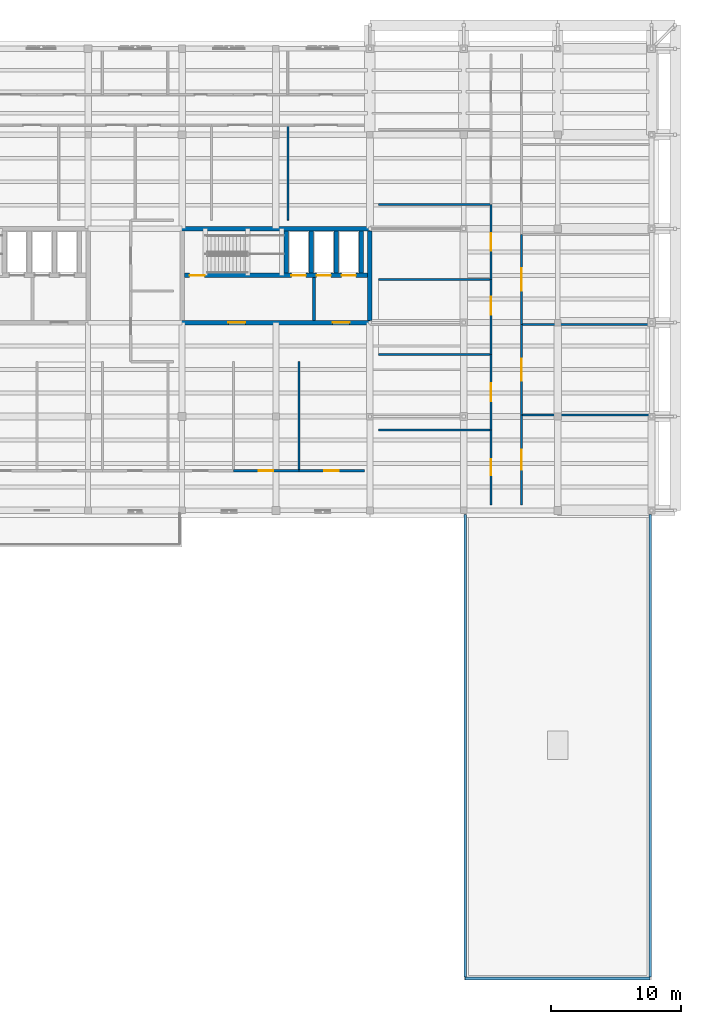
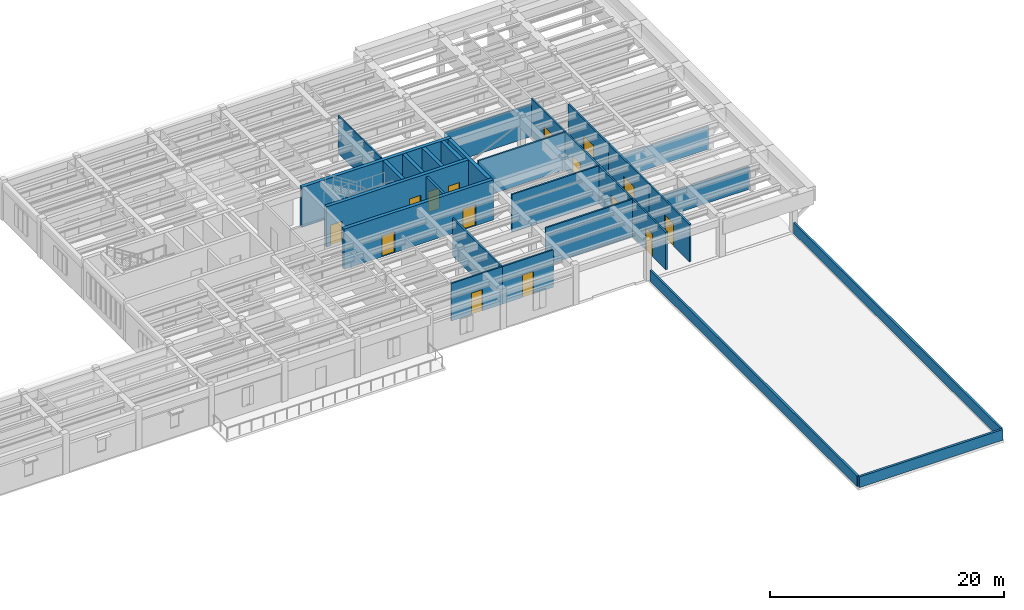
# One storey, part 16 of 22: 29 walls, 15 doors, 15 openings.
"""IFC4 building model written with IfcOpenShell, lengths in metres."""

from ifc_helpers import new_model, si_unit, direction, frame, frame_2d, origin, place, context, subcontext, project, spatial, rectangle, extrude, material, layer, layer_set, type_object, element, fill, save


model = new_model("IFC4")

# Units and contexts
model_context = context("Model", 3, precision=1e-05, world=origin(), true_north=direction((0.0, 1.0)))
body_context = subcontext(model_context, "Body", "Model", "MODEL_VIEW")
ifc_project = project(units=[si_unit("LENGTHUNIT", "METRE"), si_unit("AREAUNIT", "SQUARE_METRE"), si_unit("VOLUMEUNIT", "CUBIC_METRE"), si_unit("PLANEANGLEUNIT", "RADIAN"), si_unit("MASSUNIT", "GRAM", prefix="KILO")], contexts=[model_context])

# Site, building, storey
site_placement = place(None, origin())
site = spatial("IfcSite", under=ifc_project, at=site_placement, CompositionType="ELEMENT")
building_placement = place(site_placement, origin())
building = spatial("IfcBuilding", under=site, at=building_placement, Name="Mithqara Police Headquarters", CompositionType="ELEMENT")
storey_placement = place(building_placement, frame((0.0, 0.0, 22.199951171875)))
storey = spatial("IfcBuildingStorey", under=building, at=storey_placement, Name="L05", CompositionType="ELEMENT", Elevation=22.199951171875)

# Walls
ifc_material_1 = material(Name="Concrete C40/50", Category="concrete")
ifc_layer_1 = layer(ifc_material_1, 0.239990234375, Name="Concrete C40/50")
ifc_layer_set_1 = layer_set([ifc_layer_1], Name="Concrete C40/50")
wall_type_1 = type_object("IfcWallType", Name="CORE LOBBY WALL 240", PredefinedType="SOLIDWALL", material=ifc_layer_set_1)
wall_1_placement = place(storey_placement, frame((140.330078125, 93.169921875, 0.0), z_axis=(0.0, 0.0, 1.0), x_axis=(0.0, 1.0, 0.0)))
element("IfcWall", 1, at=wall_1_placement, inside=storey, type_object=wall_type_1, Name="Core C2 Command East Firefighting Lobby Separation Wall L05", PredefinedType="SOLIDWALL", context=body_context, shape_type="SweptSolid", body=[
    extrude(rectangle(XDim=3.280029296875, YDim=0.239990234375, at=frame_2d((1.64013671875, 0.0))), origin(), (0.0, 0.0, 1.0), 3.89013671875),
])
ifc_material_2 = material(Name="Limestone ashlar masonry, 45 MPa", Category="masonry")
ifc_layer_2 = layer(ifc_material_2, 0.199951171875, Name="Limestone ashlar masonry, 45 MPa")
ifc_layer_set_2 = layer_set([ifc_layer_2], Name="Limestone ashlar masonry, 45 MPa")
wall_type_2 = type_object("IfcWallType", Name="PARAPET WALL 200", PredefinedType="PARAPET", material=ifc_layer_set_2)
for number, where, z_axis, x_axis, name in (
    (2, (151.909912109375, 42.820068359375, 0.0), (0.0, 0.0, 1.0), (0.0, 1.0, 0.0), "L05 Limestone Roof Parapet ROOF-L04-01-2"),
    (3, (166.090087890625, 78.27001953125, 0.0), (0.0, 0.0, 1.0), (0.0, -1.0, 0.0), "L05 Limestone Roof Parapet ROOF-L04-01-4"),
):
    element("IfcWall", number, at=place(storey_placement, frame(where, z_axis=z_axis, x_axis=x_axis)), inside=storey, type_object=wall_type_2, Name=name, PredefinedType="PARAPET", context=body_context, shape_type="SweptSolid", body=[
        extrude(rectangle(XDim=35.449951171875, YDim=0.199951171875, at=frame_2d((17.72509765625, 0.0))), origin(), (0.0, 0.0, 1.0), 1.1201171875),
    ])
ifc_layer_3 = layer(ifc_material_2, 0.219970703125, Name="Limestone ashlar masonry, 45 MPa")
ifc_layer_set_3 = layer_set([ifc_layer_3], Name="Limestone ashlar masonry, 45 MPa")
wall_type_3 = type_object("IfcWallType", Name="PARAPET WALL 220", PredefinedType="PARAPET", material=ifc_layer_set_3)
wall_2_placement = place(storey_placement, frame((166.090087890625, 42.7099609375, 0.0), z_axis=(0.0, 0.0, 1.0), x_axis=(-1.0, 0.0, 0.0)))
element("IfcWall", 4, at=wall_2_placement, inside=storey, type_object=wall_type_3, Name="L05 Limestone Roof Parapet ROOF-L04-01-1", PredefinedType="PARAPET", context=body_context, shape_type="SweptSolid", body=[
    extrude(rectangle(XDim=14.18017578125, YDim=0.219970703125, at=frame_2d((7.090087890625, 0.0))), origin(), (0.0, 0.0, 1.0), 1.1201171875),
])
ifc_material_3 = material(Name="Gypsum acoustic stud partition", Category="gypsum")
ifc_layer_4 = layer(ifc_material_3, 0.139892578125, Name="Gypsum acoustic stud partition")
ifc_layer_set_4 = layer_set([ifc_layer_4], Name="Gypsum acoustic stud partition")
wall_type_4 = type_object("IfcWallType", Name="PART WALL 140", PredefinedType="PARTITIONING", material=ifc_layer_set_4)
wall_3_placement = place(storey_placement, frame((138.320068359375, 100.85009765625, 0.0), z_axis=(0.0, 0.0, 1.0), x_axis=(0.0, 1.0, 0.0)))
element("IfcWall", 5, at=wall_3_placement, inside=storey, type_object=wall_type_4, Name="L05 Room Partition Police Commissioner Directorate", PredefinedType="PARTITIONING", context=body_context, shape_type="SweptSolid", body=[
    extrude(rectangle(XDim=7.289794921875, YDim=0.139892578125, at=frame_2d((3.64501953125, 0.0))), origin(), (0.0, 0.0, 1.0), 3.920166015625),
])

# Wall, opening, door
ifc_layer_5 = layer(ifc_material_3, 0.159912109375, Name="Gypsum acoustic stud partition")
ifc_layer_set_5 = layer_set([ifc_layer_5], Name="Gypsum acoustic stud partition")
wall_type_5 = type_object("IfcWallType", Name="PART WALL 160", PredefinedType="PARTITIONING", material=ifc_layer_set_5)
wall_4_placement = place(storey_placement, frame((134.134033203125, 81.639892578125, 0.0), z_axis=(0.0, 0.0, 1.0), x_axis=(1.0, 0.0, 0.0)))
wall_4 = element("IfcWall", 6, at=wall_4_placement, inside=storey, type_object=wall_type_5, Name="L05 Corridor Wall Deputy Commissioner Suite", PredefinedType="PARTITIONING", context=body_context, shape_type="SweptSolid", body=[
    extrude(rectangle(XDim=5.02294921875, YDim=0.159912109375, at=frame_2d((2.511474609375, 0.0))), origin(), (0.0, 0.0, 1.0), 3.920166015625),
])
opening_1_placement = place(wall_4_placement, frame((1.96142578125, 0.0, 0.0)))
opening_1 = element("IfcOpeningElement", 7, at=opening_1_placement, cuts=wall_4, Name="Opening D-11", PredefinedType="OPENING", context=body_context, shape_type="SweptSolid", body=[
    extrude(rectangle(XDim=1.10009765625, YDim=2.219970703125, at=frame_2d((0.550048828125, 1.10986328125))), frame((0.0, 0.08984375, 0.0), z_axis=(0.0, -1.0, 0.0), x_axis=(1.0, 0.0, 0.0)), (0.0, 0.0, 1.0), 0.179931640625),
])
ifc_material_4 = material(Name="Acoustic solid-core timber leaf", Category="wood")
door_type_1 = type_object("IfcDoorType", Name="INT DOOR 1100X2220", OperationType="NOTDEFINED", PredefinedType="DOOR", material=ifc_material_4)
door_1_placement = place(opening_1_placement, origin())
door_1 = element("IfcDoor", 8, at=door_1_placement, inside=storey, type_object=door_type_1, Name="Deputy Commissioner Suite Entry Door", OperationType="SINGLE_SWING_RIGHT", OverallHeight=2.219970703125, OverallWidth=1.10009765625, PredefinedType="DOOR", context=body_context, shape_type="SweptSolid", body=[
    extrude(rectangle(XDim=1.10009765625, YDim=2.219970703125, at=frame_2d((0.550048828125, 1.10986328125))), frame((0.0, 0.02490234375, 0.0), z_axis=(0.0, -1.0, 0.0), x_axis=(1.0, 0.0, 0.0)), (0.0, 0.0, 1.0), 0.050048828125),
])
fill(opening_1, door_1)

# Wall
wall_5_placement = place(storey_placement, frame((139.156982421875, 81.639892578125, 0.0), z_axis=(0.0, 0.0, 1.0), x_axis=(0.0, 1.0, 0.0)))
element("IfcWall", 9, at=wall_5_placement, inside=storey, type_object=wall_type_5, Name="L05 Room Partition Deputy Commissioner Suite", PredefinedType="PARTITIONING", context=body_context, shape_type="SweptSolid", body=[
    extrude(rectangle(XDim=8.360107421875, YDim=0.159912109375, at=frame_2d((4.18017578125, 0.0))), origin(), (0.0, 0.0, 1.0), 3.920166015625),
])

# Wall, opening, door
wall_6_placement = place(storey_placement, frame((139.156982421875, 81.639892578125, 0.0), z_axis=(0.0, 0.0, 1.0), x_axis=(1.0, 0.0, 0.0)))
wall_6 = element("IfcWall", 10, at=wall_6_placement, inside=storey, type_object=wall_type_5, Name="L05 Corridor Wall Executive Briefing Room", PredefinedType="PARTITIONING", context=body_context, shape_type="SweptSolid", body=[
    extrude(rectangle(XDim=5.02294921875, YDim=0.159912109375, at=frame_2d((2.511474609375, 0.0))), origin(), (0.0, 0.0, 1.0), 3.920166015625),
])
opening_2_placement = place(wall_6_placement, frame((1.96142578125, 0.0, 0.0)))
opening_2 = element("IfcOpeningElement", 11, at=opening_2_placement, cuts=wall_6, Name="Opening D-12", PredefinedType="OPENING", context=body_context, shape_type="SweptSolid", body=[
    extrude(rectangle(XDim=1.10009765625, YDim=2.35009765625, at=frame_2d((0.550048828125, 1.175048828125))), frame((0.0, 0.08984375, 0.0), z_axis=(0.0, -1.0, 0.0), x_axis=(1.0, 0.0, 0.0)), (0.0, 0.0, 1.0), 0.179931640625),
])
door_type_2 = type_object("IfcDoorType", Name="INT DOOR 1100X2350", OperationType="NOTDEFINED", PredefinedType="DOOR", material=ifc_material_4)
door_2_placement = place(opening_2_placement, origin())
door_2 = element("IfcDoor", 12, at=door_2_placement, inside=storey, type_object=door_type_2, Name="Executive Briefing Room Entry Door", OperationType="SINGLE_SWING_LEFT", OverallHeight=2.35009765625, OverallWidth=1.10009765625, PredefinedType="DOOR", context=body_context, shape_type="SweptSolid", body=[
    extrude(rectangle(XDim=1.10009765625, YDim=2.35009765625, at=frame_2d((0.550048828125, 1.175048828125))), frame((0.0, 0.02490234375, 0.0), z_axis=(0.0, -1.0, 0.0), x_axis=(1.0, 0.0, 0.0)), (0.0, 0.0, 1.0), 0.050048828125),
])
fill(opening_2, door_2)

wall_7_placement = place(storey_placement, frame((153.89501953125, 79.02001953125, 0.0), z_axis=(0.0, 0.0, 1.0), x_axis=(0.0, 1.0, 0.0)))
wall_7 = element("IfcWall", 13, at=wall_7_placement, inside=storey, type_object=wall_type_5, Name="L05 Corridor Wall Legal Affairs Office", PredefinedType="PARTITIONING", context=body_context, shape_type="SweptSolid", body=[
    extrude(rectangle(XDim=5.760009765625, YDim=0.159912109375, at=frame_2d((2.8798828125, 0.0))), origin(), (0.0, 0.0, 1.0), 3.920166015625),
])
opening_3_placement = place(wall_7_placement, frame((2.27001953125, 0.0, 0.0)))
opening_3 = element("IfcOpeningElement", 14, at=opening_3_placement, cuts=wall_7, Name="Opening D-15", PredefinedType="OPENING", context=body_context, shape_type="SweptSolid", body=[
    extrude(rectangle(XDim=1.219970703125, YDim=2.35009765625, at=frame_2d((0.60986328125, 1.175048828125))), frame((0.0, 0.08984375, 0.0), z_axis=(0.0, -1.0, 0.0), x_axis=(1.0, 0.0, 0.0)), (0.0, 0.0, 1.0), 0.179931640625),
])
door_type_3 = type_object("IfcDoorType", Name="INT DOOR 1220X2350", OperationType="NOTDEFINED", PredefinedType="DOOR", material=ifc_material_4)
door_3_placement = place(opening_3_placement, frame((1.219970703125, 0.0, 0.0), z_axis=(0.0, 0.0, 1.0), x_axis=(-1.0, 0.0, 0.0)))
door_3 = element("IfcDoor", 15, at=door_3_placement, inside=storey, type_object=door_type_3, Name="Legal Affairs Office Entry Door", OperationType="SINGLE_SWING_RIGHT", OverallHeight=2.35009765625, OverallWidth=1.219970703125, PredefinedType="DOOR", context=body_context, shape_type="SweptSolid", body=[
    extrude(rectangle(XDim=1.219970703125, YDim=2.35009765625, at=frame_2d((0.60986328125, 1.175048828125))), frame((0.0, 0.02490234375, 0.0), z_axis=(0.0, -1.0, 0.0), x_axis=(1.0, 0.0, 0.0)), (0.0, 0.0, 1.0), 0.050048828125),
])
fill(opening_3, door_3)

# Wall
wall_8_placement = place(storey_placement, frame((145.25, 84.780029296875, 0.0), z_axis=(0.0, 0.0, 1.0), x_axis=(1.0, 0.0, 0.0)))
element("IfcWall", 16, at=wall_8_placement, inside=storey, type_object=wall_type_5, Name="L05 Room Partition Legal Affairs Office", PredefinedType="PARTITIONING", context=body_context, shape_type="SweptSolid", body=[
    extrude(rectangle(XDim=8.64501953125, YDim=0.159912109375, at=frame_2d((4.322509765625, 0.0))), origin(), (0.0, 0.0, 1.0), 3.920166015625),
])

# Wall, opening, door
wall_9_placement = place(storey_placement, frame((153.89501953125, 84.780029296875, 0.0), z_axis=(0.0, 0.0, 1.0), x_axis=(0.0, 1.0, 0.0)))
wall_9 = element("IfcWall", 17, at=wall_9_placement, inside=storey, type_object=wall_type_5, Name="L05 Corridor Wall Policy and Standards Suite", PredefinedType="PARTITIONING", context=body_context, shape_type="SweptSolid", body=[
    extrude(rectangle(XDim=5.760009765625, YDim=0.159912109375, at=frame_2d((2.8798828125, 0.0))), origin(), (0.0, 0.0, 1.0), 3.920166015625),
])
opening_4_placement = place(wall_9_placement, frame((2.199951171875, 0.0, 0.0)))
opening_4 = element("IfcOpeningElement", 18, at=opening_4_placement, cuts=wall_9, Name="Opening D-16", PredefinedType="OPENING", context=body_context, shape_type="SweptSolid", body=[
    extrude(rectangle(XDim=1.360107421875, YDim=2.10009765625, at=frame_2d((0.68017578125, 1.050048828125))), frame((0.0, 0.08984375, 0.0), z_axis=(0.0, -1.0, 0.0), x_axis=(1.0, 0.0, 0.0)), (0.0, 0.0, 1.0), 0.179931640625),
])
ifc_material_5 = material(Name="Bronze anodised aluminium 6063-T6", Category="aluminium")
door_type_4 = type_object("IfcDoorType", Name="INT DOOR 1360X2100", OperationType="NOTDEFINED", PredefinedType="DOOR", material=ifc_material_5)
door_4_placement = place(opening_4_placement, frame((1.360107421875, 0.0, 0.0), z_axis=(0.0, 0.0, 1.0), x_axis=(-1.0, 0.0, 0.0)))
door_4 = element("IfcDoor", 19, at=door_4_placement, inside=storey, type_object=door_type_4, Name="Policy and Standards Suite Entry Door", OperationType="SINGLE_SWING_LEFT", OverallHeight=2.10009765625, OverallWidth=1.360107421875, PredefinedType="DOOR", context=body_context, shape_type="SweptSolid", body=[
    extrude(rectangle(XDim=1.360107421875, YDim=2.10009765625, at=frame_2d((0.68017578125, 1.050048828125))), frame((0.0, 0.02490234375, 0.0), z_axis=(0.0, -1.0, 0.0), x_axis=(1.0, 0.0, 0.0)), (0.0, 0.0, 1.0), 0.050048828125),
])
fill(opening_4, door_4)

# Wall
wall_10_placement = place(storey_placement, frame((145.25, 90.5400390625, 0.0), z_axis=(0.0, 0.0, 1.0), x_axis=(1.0, 0.0, 0.0)))
element("IfcWall", 20, at=wall_10_placement, inside=storey, type_object=wall_type_5, Name="L05 Room Partition Policy and Standards Suite", PredefinedType="PARTITIONING", context=body_context, shape_type="SweptSolid", body=[
    extrude(rectangle(XDim=8.64501953125, YDim=0.159912109375, at=frame_2d((4.322509765625, 0.0))), origin(), (0.0, 0.0, 1.0), 3.920166015625),
])

# Wall, opening, door
wall_11_placement = place(storey_placement, frame((153.89501953125, 90.5400390625, 0.0), z_axis=(0.0, 0.0, 1.0), x_axis=(0.0, 1.0, 0.0)))
wall_11 = element("IfcWall", 21, at=wall_11_placement, inside=storey, type_object=wall_type_5, Name="L05 Corridor Wall Male Staff WC", PredefinedType="PARTITIONING", context=body_context, shape_type="SweptSolid", body=[
    extrude(rectangle(XDim=5.760009765625, YDim=0.159912109375, at=frame_2d((2.8798828125, 0.0))), origin(), (0.0, 0.0, 1.0), 3.920166015625),
])
opening_5_placement = place(wall_11_placement, frame((3.06396484375, 0.0, 0.0)))
opening_5 = element("IfcOpeningElement", 22, at=opening_5_placement, cuts=wall_11, Name="Opening D-17", PredefinedType="OPENING", context=body_context, shape_type="SweptSolid", body=[
    extrude(rectangle(XDim=1.360107421875, YDim=2.219970703125, at=frame_2d((0.68017578125, 1.10986328125))), frame((0.0, 0.08984375, 0.0), z_axis=(0.0, -1.0, 0.0), x_axis=(1.0, 0.0, 0.0)), (0.0, 0.0, 1.0), 0.179931640625),
])
door_type_5 = type_object("IfcDoorType", Name="INT DOOR 1360X2220", OperationType="NOTDEFINED", PredefinedType="DOOR", material=ifc_material_5)
door_5_placement = place(opening_5_placement, frame((1.360107421875, 0.0, 0.0), z_axis=(0.0, 0.0, 1.0), x_axis=(-1.0, 0.0, 0.0)))
door_5 = element("IfcDoor", 23, at=door_5_placement, inside=storey, type_object=door_type_5, Name="Male Staff WC Entry Door", OperationType="SINGLE_SWING_RIGHT", OverallHeight=2.219970703125, OverallWidth=1.360107421875, PredefinedType="DOOR", context=body_context, shape_type="SweptSolid", body=[
    extrude(rectangle(XDim=1.360107421875, YDim=2.219970703125, at=frame_2d((0.68017578125, 1.10986328125))), frame((0.0, 0.02490234375, 0.0), z_axis=(0.0, -1.0, 0.0), x_axis=(1.0, 0.0, 0.0)), (0.0, 0.0, 1.0), 0.050048828125),
])
fill(opening_5, door_5)

# Wall
wall_12_placement = place(storey_placement, frame((145.25, 96.300048828125, 0.0), z_axis=(0.0, 0.0, 1.0), x_axis=(1.0, 0.0, 0.0)))
element("IfcWall", 24, at=wall_12_placement, inside=storey, type_object=wall_type_5, Name="L05 Room Partition Male Staff WC", PredefinedType="PARTITIONING", context=body_context, shape_type="SweptSolid", body=[
    extrude(rectangle(XDim=8.64501953125, YDim=0.159912109375, at=frame_2d((4.322509765625, 0.0))), origin(), (0.0, 0.0, 1.0), 3.920166015625),
])

# Wall, opening, door
wall_13_placement = place(storey_placement, frame((153.89501953125, 96.300048828125, 0.0), z_axis=(0.0, 0.0, 1.0), x_axis=(0.0, 1.0, 0.0)))
wall_13 = element("IfcWall", 25, at=wall_13_placement, inside=storey, type_object=wall_type_5, Name="L05 Corridor Wall Female Staff WC", PredefinedType="PARTITIONING", context=body_context, shape_type="SweptSolid", body=[
    extrude(rectangle(XDim=5.760009765625, YDim=0.159912109375, at=frame_2d((2.8798828125, 0.0))), origin(), (0.0, 0.0, 1.0), 3.920166015625),
])
opening_6_placement = place(wall_13_placement, frame((2.199951171875, 0.0, 0.0)))
opening_6 = element("IfcOpeningElement", 26, at=opening_6_placement, cuts=wall_13, Name="Opening D-18", PredefinedType="OPENING", context=body_context, shape_type="SweptSolid", body=[
    extrude(rectangle(XDim=1.360107421875, YDim=2.35009765625, at=frame_2d((0.68017578125, 1.175048828125))), frame((0.0, 0.08984375, 0.0), z_axis=(0.0, -1.0, 0.0), x_axis=(1.0, 0.0, 0.0)), (0.0, 0.0, 1.0), 0.179931640625),
])
door_type_6 = type_object("IfcDoorType", Name="INT DOOR 1360X2350", OperationType="NOTDEFINED", PredefinedType="DOOR", material=ifc_material_5)
door_6_placement = place(opening_6_placement, frame((1.360107421875, 0.0, 0.0), z_axis=(0.0, 0.0, 1.0), x_axis=(-1.0, 0.0, 0.0)))
door_6 = element("IfcDoor", 27, at=door_6_placement, inside=storey, type_object=door_type_6, Name="Female Staff WC Entry Door", OperationType="SINGLE_SWING_LEFT", OverallHeight=2.35009765625, OverallWidth=1.360107421875, PredefinedType="DOOR", context=body_context, shape_type="SweptSolid", body=[
    extrude(rectangle(XDim=1.360107421875, YDim=2.35009765625, at=frame_2d((0.68017578125, 1.175048828125))), frame((0.0, 0.02490234375, 0.0), z_axis=(0.0, -1.0, 0.0), x_axis=(1.0, 0.0, 0.0)), (0.0, 0.0, 1.0), 0.050048828125),
])
fill(opening_6, door_6)

# Wall
wall_14_placement = place(storey_placement, frame((145.25, 102.06005859375, 0.0), z_axis=(0.0, 0.0, 1.0), x_axis=(1.0, 0.0, 0.0)))
element("IfcWall", 28, at=wall_14_placement, inside=storey, type_object=wall_type_5, Name="L05 Room Partition Female Staff WC", PredefinedType="PARTITIONING", context=body_context, shape_type="SweptSolid", body=[
    extrude(rectangle(XDim=8.64501953125, YDim=0.159912109375, at=frame_2d((4.322509765625, 0.0))), origin(), (0.0, 0.0, 1.0), 3.3701171875),
])

# Wall, opening, door
wall_15_placement = place(storey_placement, frame((156.235107421875, 79.02001953125, 0.0), z_axis=(0.0, 0.0, 1.0), x_axis=(0.0, 1.0, 0.0)))
wall_15 = element("IfcWall", 29, at=wall_15_placement, inside=storey, type_object=wall_type_5, Name="L05 Corridor Wall Policy and Standards Suite", PredefinedType="PARTITIONING", context=body_context, shape_type="SweptSolid", body=[
    extrude(rectangle(XDim=6.911865234375, YDim=0.159912109375, at=frame_2d((3.4560546875, 0.0))), origin(), (0.0, 0.0, 1.0), 3.920166015625),
])
opening_7_placement = place(wall_15_placement, frame((2.696044921875, 0.0, 0.0)))
opening_7 = element("IfcOpeningElement", 30, at=opening_7_placement, cuts=wall_15, Name="Opening D-21", PredefinedType="OPENING", context=body_context, shape_type="SweptSolid", body=[
    extrude(rectangle(XDim=1.52001953125, YDim=2.35009765625, at=frame_2d((0.760009765625, 1.175048828125))), frame((0.0, 0.08984375, 0.0), z_axis=(0.0, -1.0, 0.0), x_axis=(1.0, 0.0, 0.0)), (0.0, 0.0, 1.0), 0.179931640625),
])
door_type_7 = type_object("IfcDoorType", Name="INT DOOR 1520X2350", OperationType="NOTDEFINED", PredefinedType="DOOR", material=ifc_material_5)
door_7_placement = place(opening_7_placement, origin())
door_7 = element("IfcDoor", 31, at=door_7_placement, inside=storey, type_object=door_type_7, Name="Policy and Standards Suite Entry Door", OperationType="DOUBLE_DOOR_SINGLE_SWING", OverallHeight=2.35009765625, OverallWidth=1.52001953125, PredefinedType="DOOR", context=body_context, shape_type="SweptSolid", body=[
    extrude(rectangle(XDim=1.52001953125, YDim=2.35009765625, at=frame_2d((0.760009765625, 1.175048828125))), frame((0.0, 0.02490234375, 0.0), z_axis=(0.0, -1.0, 0.0), x_axis=(1.0, 0.0, 0.0)), (0.0, 0.0, 1.0), 0.050048828125),
])
fill(opening_7, door_7)

# Wall
wall_16_placement = place(storey_placement, frame((156.235107421875, 85.931884765625, 0.0), z_axis=(0.0, 0.0, 1.0), x_axis=(1.0, 0.0, 0.0)))
element("IfcWall", 32, at=wall_16_placement, inside=storey, type_object=wall_type_5, Name="L05 Room Partition Policy and Standards Suite", PredefinedType="PARTITIONING", context=body_context, shape_type="SweptSolid", body=[
    extrude(rectangle(XDim=9.784912109375, YDim=0.159912109375, at=frame_2d((4.892578125, 0.0))), origin(), (0.0, 0.0, 1.0), 2.3701171875),
])

# Wall, opening, door
wall_17_placement = place(storey_placement, frame((156.235107421875, 85.931884765625, 0.0), z_axis=(0.0, 0.0, 1.0), x_axis=(0.0, 1.0, 0.0)))
wall_17 = element("IfcWall", 33, at=wall_17_placement, inside=storey, type_object=wall_type_5, Name="L05 Corridor Wall Male Staff WC", PredefinedType="PARTITIONING", context=body_context, shape_type="SweptSolid", body=[
    extrude(rectangle(XDim=6.912109375, YDim=0.159912109375, at=frame_2d((3.4560546875, 0.0))), origin(), (0.0, 0.0, 1.0), 3.920166015625),
])
opening_8_placement = place(wall_17_placement, frame((2.595947265625, 0.0, 0.0)))
opening_8 = element("IfcOpeningElement", 34, at=opening_8_placement, cuts=wall_17, Name="Opening D-22", PredefinedType="OPENING", context=body_context, shape_type="SweptSolid", body=[
    extrude(rectangle(XDim=1.719970703125, YDim=2.10009765625, at=frame_2d((0.85986328125, 1.050048828125))), frame((0.0, 0.08984375, 0.0), z_axis=(0.0, -1.0, 0.0), x_axis=(1.0, 0.0, 0.0)), (0.0, 0.0, 1.0), 0.179931640625),
])
door_type_8 = type_object("IfcDoorType", Name="INT DOOR 1720X2100", OperationType="NOTDEFINED", PredefinedType="DOOR", material=ifc_material_5)
door_8_placement = place(opening_8_placement, origin())
door_8 = element("IfcDoor", 35, at=door_8_placement, inside=storey, type_object=door_type_8, Name="Male Staff WC Entry Door", OperationType="DOUBLE_DOOR_SINGLE_SWING", OverallHeight=2.10009765625, OverallWidth=1.719970703125, PredefinedType="DOOR", context=body_context, shape_type="SweptSolid", body=[
    extrude(rectangle(XDim=1.719970703125, YDim=2.10009765625, at=frame_2d((0.85986328125, 1.050048828125))), frame((0.0, 0.02490234375, 0.0), z_axis=(0.0, -1.0, 0.0), x_axis=(1.0, 0.0, 0.0)), (0.0, 0.0, 1.0), 0.050048828125),
])
fill(opening_8, door_8)

# Wall
wall_18_placement = place(storey_placement, frame((156.235107421875, 92.843994140625, 0.0), z_axis=(0.0, 0.0, 1.0), x_axis=(1.0, 0.0, 0.0)))
element("IfcWall", 36, at=wall_18_placement, inside=storey, type_object=wall_type_5, Name="L05 Room Partition Male Staff WC", PredefinedType="PARTITIONING", context=body_context, shape_type="SweptSolid", body=[
    extrude(rectangle(XDim=9.784912109375, YDim=0.159912109375, at=frame_2d((4.892578125, 0.0))), origin(), (0.0, 0.0, 1.0), 2.3701171875),
])

# Wall, opening, door
wall_19_placement = place(storey_placement, frame((156.235107421875, 92.843994140625, 0.0), z_axis=(0.0, 0.0, 1.0), x_axis=(0.0, 1.0, 0.0)))
wall_19 = element("IfcWall", 37, at=wall_19_placement, inside=storey, type_object=wall_type_5, Name="L05 Corridor Wall Female Staff WC", PredefinedType="PARTITIONING", context=body_context, shape_type="SweptSolid", body=[
    extrude(rectangle(XDim=6.912109375, YDim=0.159912109375, at=frame_2d((3.4560546875, 0.0))), origin(), (0.0, 0.0, 1.0), 3.920166015625),
])
opening_9_placement = place(wall_19_placement, frame((2.595947265625, 0.0, 0.0)))
opening_9 = element("IfcOpeningElement", 38, at=opening_9_placement, cuts=wall_19, Name="Opening D-23", PredefinedType="OPENING", context=body_context, shape_type="SweptSolid", body=[
    extrude(rectangle(XDim=1.719970703125, YDim=2.219970703125, at=frame_2d((0.85986328125, 1.10986328125))), frame((0.0, 0.08984375, 0.0), z_axis=(0.0, -1.0, 0.0), x_axis=(1.0, 0.0, 0.0)), (0.0, 0.0, 1.0), 0.179931640625),
])
door_type_9 = type_object("IfcDoorType", Name="INT DOOR 1720X2220", OperationType="NOTDEFINED", PredefinedType="DOOR", material=ifc_material_5)
door_9_placement = place(opening_9_placement, origin())
door_9 = element("IfcDoor", 39, at=door_9_placement, inside=storey, type_object=door_type_9, Name="Female Staff WC Entry Door", OperationType="DOUBLE_DOOR_SINGLE_SWING", OverallHeight=2.219970703125, OverallWidth=1.719970703125, PredefinedType="DOOR", context=body_context, shape_type="SweptSolid", body=[
    extrude(rectangle(XDim=1.719970703125, YDim=2.219970703125, at=frame_2d((0.85986328125, 1.10986328125))), frame((0.0, 0.02490234375, 0.0), z_axis=(0.0, -1.0, 0.0), x_axis=(1.0, 0.0, 0.0)), (0.0, 0.0, 1.0), 0.050048828125),
])
fill(opening_9, door_9)

# Wall
ifc_material_6 = material(Name="Concrete C50/60", Category="concrete")
ifc_layer_6 = layer(ifc_material_6, 0.340087890625, Name="Concrete C50/60")
ifc_layer_set_6 = layer_set([ifc_layer_6], Name="Concrete C50/60")
wall_type_6 = type_object("IfcWallType", Name="SHEAR WALL 340", PredefinedType="SHEAR", material=ifc_layer_set_6)
wall_20_placement = place(storey_placement, frame((130.030029296875, 100.199951171875, 0.0), z_axis=(0.0, 0.0, 1.0), x_axis=(1.0, 0.0, 0.0)))
element("IfcWall", 40, at=wall_20_placement, inside=storey, type_object=wall_type_6, Name="Core C2 Command East Shear Wall N", PredefinedType="SHEAR", context=body_context, shape_type="SweptSolid", body=[
    extrude(rectangle(XDim=14.739990234375, YDim=0.340087890625, at=frame_2d((7.3701171875, 0.0))), origin(), (0.0, 0.0, 1.0), 4.199951171875),
])

# Wall, openings, doors
wall_21_placement = place(storey_placement, frame((130.030029296875, 93.0, 0.0), z_axis=(0.0, 0.0, 1.0), x_axis=(1.0, 0.0, 0.0)))
wall_21 = element("IfcWall", 41, at=wall_21_placement, inside=storey, type_object=wall_type_6, Name="Core C2 Command East Shear Wall S", PredefinedType="SHEAR", context=body_context, shape_type="SweptSolid", body=[
    extrude(rectangle(XDim=14.739990234375, YDim=0.340087890625, at=frame_2d((7.3701171875, 0.0))), origin(), (0.0, 0.0, 1.0), 4.199951171875),
])
opening_10_placement = place(wall_21_placement, frame((3.719970703125, 0.0, 0.0)))
opening_10 = element("IfcOpeningElement", 42, at=opening_10_placement, cuts=wall_21, Name="Opening FD-02", PredefinedType="OPENING", context=body_context, shape_type="SweptSolid", body=[
    extrude(rectangle(XDim=1.300048828125, YDim=2.199951171875, at=frame_2d((0.64990234375, 1.10009765625))), frame((0.0, 0.18017578125, 0.0), z_axis=(0.0, -1.0, 0.0), x_axis=(1.0, 0.0, 0.0)), (0.0, 0.0, 1.0), 0.360107421875),
])
opening_11_placement = place(wall_21_placement, frame((11.719970703125, 0.0, 0.0)))
opening_11 = element("IfcOpeningElement", 43, at=opening_11_placement, cuts=wall_21, Name="Opening FD-02", PredefinedType="OPENING", context=body_context, shape_type="SweptSolid", body=[
    extrude(rectangle(XDim=1.300048828125, YDim=2.199951171875, at=frame_2d((0.64990234375, 1.10009765625))), frame((0.0, 0.18017578125, 0.0), z_axis=(0.0, -1.0, 0.0), x_axis=(1.0, 0.0, 0.0)), (0.0, 0.0, 1.0), 0.360107421875),
])
ifc_material_7 = material(Name="Steel S355JR", Category="steel")
door_type_10 = type_object("IfcDoorType", Name="CORE DOOR LOBBY 1300X2200", OperationType="NOTDEFINED", PredefinedType="DOOR", material=ifc_material_7)
door_10_placement = place(opening_10_placement, frame((1.300048828125, 0.0, 0.0), z_axis=(0.0, 0.0, 1.0), x_axis=(-1.0, 0.0, 0.0)))
door_10 = element("IfcDoor", 44, at=door_10_placement, inside=storey, type_object=door_type_10, Name="Core C2 Command East FF Lobby Fire Door L05", OperationType="SINGLE_SWING_LEFT", OverallHeight=2.199951171875, OverallWidth=1.300048828125, PredefinedType="DOOR", context=body_context, shape_type="SweptSolid", body=[
    extrude(rectangle(XDim=1.300048828125, YDim=2.199951171875, at=frame_2d((0.64990234375, 1.10009765625))), frame((0.0, 0.02490234375, 0.0), z_axis=(0.0, -1.0, 0.0), x_axis=(1.0, 0.0, 0.0)), (0.0, 0.0, 1.0), 0.050048828125),
])
fill(opening_10, door_10)
door_11_placement = place(opening_11_placement, frame((1.300048828125, 0.0, 0.0), z_axis=(0.0, 0.0, 1.0), x_axis=(-1.0, 0.0, 0.0)))
door_11 = element("IfcDoor", 45, at=door_11_placement, inside=storey, type_object=door_type_10, Name="Core C2 Command East PA Lobby Fire Door L05", OperationType="SINGLE_SWING_RIGHT", OverallHeight=2.199951171875, OverallWidth=1.300048828125, PredefinedType="DOOR", context=body_context, shape_type="SweptSolid", body=[
    extrude(rectangle(XDim=1.300048828125, YDim=2.199951171875, at=frame_2d((0.64990234375, 1.10009765625))), frame((0.0, 0.02490234375, 0.0), z_axis=(0.0, -1.0, 0.0), x_axis=(1.0, 0.0, 0.0)), (0.0, 0.0, 1.0), 0.050048828125),
])
fill(opening_11, door_11)

# Wall
wall_22_placement = place(storey_placement, frame((144.60009765625, 93.179931640625, 0.0), z_axis=(0.0, 0.0, 1.0), x_axis=(0.0, 1.0, 0.0)))
element("IfcWall", 46, at=wall_22_placement, inside=storey, type_object=wall_type_6, Name="Core C2 Command East Shear Wall E", PredefinedType="SHEAR", context=body_context, shape_type="SweptSolid", body=[
    extrude(rectangle(XDim=6.840087890625, YDim=0.340087890625, at=frame_2d((3.419921875, 0.0))), origin(), (0.0, 0.0, 1.0), 4.199951171875),
])

# Wall, openings, doors
wall_23_placement = place(storey_placement, frame((130.3798828125, 96.6201171875, 0.0), z_axis=(0.0, 0.0, 1.0), x_axis=(1.0, 0.0, 0.0)))
wall_23 = element("IfcWall", 47, at=wall_23_placement, inside=storey, type_object=wall_type_6, Name="Core C2 Command East Shear Wall M", PredefinedType="SHEAR", context=body_context, shape_type="SweptSolid", body=[
    extrude(rectangle(XDim=14.0400390625, YDim=0.340087890625, at=frame_2d((7.02001953125, 0.0))), origin(), (0.0, 0.0, 1.0), 4.199951171875),
])
opening_12_placement = place(wall_23_placement, frame((8.2099609375, 0.0, 0.0)))
opening_12 = element("IfcOpeningElement", 48, at=opening_12_placement, cuts=wall_23, Name="Opening LD-01", PredefinedType="OPENING", context=body_context, shape_type="SweptSolid", body=[
    extrude(rectangle(XDim=1.10009765625, YDim=2.14990234375, at=frame_2d((0.550048828125, 1.074951171875))), frame((0.0, 0.18017578125, 0.0), z_axis=(0.0, -1.0, 0.0), x_axis=(1.0, 0.0, 0.0)), (0.0, 0.0, 1.0), 0.360107421875),
])
opening_13_placement = place(wall_23_placement, frame((10.1298828125, 0.0, 0.0)))
opening_13 = element("IfcOpeningElement", 49, at=opening_13_placement, cuts=wall_23, Name="Opening LD-01", PredefinedType="OPENING", context=body_context, shape_type="SweptSolid", body=[
    extrude(rectangle(XDim=1.10009765625, YDim=2.14990234375, at=frame_2d((0.550048828125, 1.074951171875))), frame((0.0, 0.18017578125, 0.0), z_axis=(0.0, -1.0, 0.0), x_axis=(1.0, 0.0, 0.0)), (0.0, 0.0, 1.0), 0.360107421875),
])
opening_14_placement = place(wall_23_placement, frame((12.050048828125, 0.0, 0.0)))
opening_14 = element("IfcOpeningElement", 50, at=opening_14_placement, cuts=wall_23, Name="Opening LD-01", PredefinedType="OPENING", context=body_context, shape_type="SweptSolid", body=[
    extrude(rectangle(XDim=1.10009765625, YDim=2.14990234375, at=frame_2d((0.550048828125, 1.074951171875))), frame((0.0, 0.18017578125, 0.0), z_axis=(0.0, -1.0, 0.0), x_axis=(1.0, 0.0, 0.0)), (0.0, 0.0, 1.0), 0.360107421875),
])
opening_15_placement = place(wall_23_placement, frame((0.39501953125, 0.0, 0.0)))
opening_15 = element("IfcOpeningElement", 51, at=opening_15_placement, cuts=wall_23, Name="Opening FD-01", PredefinedType="OPENING", context=body_context, shape_type="SweptSolid", body=[
    extrude(rectangle(XDim=1.14990234375, YDim=2.14990234375, at=frame_2d((0.574951171875, 1.074951171875))), frame((0.0, 0.18017578125, 0.0), z_axis=(0.0, -1.0, 0.0), x_axis=(1.0, 0.0, 0.0)), (0.0, 0.0, 1.0), 0.360107421875),
])
door_type_11 = type_object("IfcDoorType", Name="CORE DOOR STAIR 1150X2150", OperationType="NOTDEFINED", PredefinedType="DOOR", material=ifc_material_7)
door_12_placement = place(opening_15_placement, origin())
door_12 = element("IfcDoor", 52, at=door_12_placement, inside=storey, type_object=door_type_11, Name="Stair ST-02 Fire Door L05", OperationType="SINGLE_SWING_LEFT", OverallHeight=2.14990234375, OverallWidth=1.14990234375, PredefinedType="DOOR", context=body_context, shape_type="SweptSolid", body=[
    extrude(rectangle(XDim=1.14990234375, YDim=2.14990234375, at=frame_2d((0.574951171875, 1.074951171875))), frame((0.0, 0.02490234375, 0.0), z_axis=(0.0, -1.0, 0.0), x_axis=(1.0, 0.0, 0.0)), (0.0, 0.0, 1.0), 0.050048828125),
])
fill(opening_15, door_12)
door_type_12 = type_object("IfcDoorType", Name="LIFT DOOR 1100X2150", OperationType="DOUBLE_DOOR_SLIDING", PredefinedType="DOOR", material=ifc_material_7)
door_13_placement = place(opening_12_placement, frame((1.10009765625, 0.0, 0.0), z_axis=(0.0, 0.0, 1.0), x_axis=(-1.0, 0.0, 0.0)))
door_13 = element("IfcDoor", 53, at=door_13_placement, inside=storey, type_object=door_type_12, Name="Lift Landing Door FL-02-L05", OperationType="DOUBLE_DOOR_SLIDING", OverallHeight=2.14990234375, OverallWidth=1.10009765625, PredefinedType="DOOR", context=body_context, shape_type="SweptSolid", body=[
    extrude(rectangle(XDim=1.10009765625, YDim=2.14990234375, at=frame_2d((0.550048828125, 1.074951171875))), frame((0.0, 0.02490234375, 0.0), z_axis=(0.0, -1.0, 0.0), x_axis=(1.0, 0.0, 0.0)), (0.0, 0.0, 1.0), 0.050048828125),
])
fill(opening_12, door_13)
door_14_placement = place(opening_13_placement, frame((1.10009765625, 0.0, 0.0), z_axis=(0.0, 0.0, 1.0), x_axis=(-1.0, 0.0, 0.0)))
door_14 = element("IfcDoor", 54, at=door_14_placement, inside=storey, type_object=door_type_12, Name="Lift Landing Door LP-03-L05", OperationType="DOUBLE_DOOR_SLIDING", OverallHeight=2.14990234375, OverallWidth=1.10009765625, PredefinedType="DOOR", context=body_context, shape_type="SweptSolid", body=[
    extrude(rectangle(XDim=1.10009765625, YDim=2.14990234375, at=frame_2d((0.550048828125, 1.074951171875))), frame((0.0, 0.02490234375, 0.0), z_axis=(0.0, -1.0, 0.0), x_axis=(1.0, 0.0, 0.0)), (0.0, 0.0, 1.0), 0.050048828125),
])
fill(opening_13, door_14)
door_15_placement = place(opening_14_placement, frame((1.10009765625, 0.0, 0.0), z_axis=(0.0, 0.0, 1.0), x_axis=(-1.0, 0.0, 0.0)))
door_15 = element("IfcDoor", 55, at=door_15_placement, inside=storey, type_object=door_type_12, Name="Lift Landing Door LP-04-L05", OperationType="DOUBLE_DOOR_SLIDING", OverallHeight=2.14990234375, OverallWidth=1.10009765625, PredefinedType="DOOR", context=body_context, shape_type="SweptSolid", body=[
    extrude(rectangle(XDim=1.10009765625, YDim=2.14990234375, at=frame_2d((0.550048828125, 1.074951171875))), frame((0.0, 0.02490234375, 0.0), z_axis=(0.0, -1.0, 0.0), x_axis=(1.0, 0.0, 0.0)), (0.0, 0.0, 1.0), 0.050048828125),
])
fill(opening_14, door_15)

# Walls
for number, where, z_axis, x_axis, name in (
    (56, (138.179931640625, 96.800048828125, 0.0), (0.0, 0.0, 1.0), (0.0, 1.0, 0.0), "Core C2 Command East Shear Wall X"),
    (57, (140.10009765625, 96.800048828125, 0.0), (0.0, 0.0, 1.0), (0.0, 1.0, 0.0), "Core C2 Command East Shear Wall L1"),
    (58, (142.02001953125, 96.800048828125, 0.0), (0.0, 0.0, 1.0), (0.0, 1.0, 0.0), "Core C2 Command East Shear Wall L2"),
    (59, (143.93994140625, 96.800048828125, 0.0), (0.0, 0.0, 1.0), (0.0, 1.0, 0.0), "Core C2 Command East Shear Wall L3"),
):
    element("IfcWall", number, at=place(storey_placement, frame(where, z_axis=z_axis, x_axis=x_axis)), inside=storey, type_object=wall_type_6, Name=name, PredefinedType="SHEAR", context=body_context, shape_type="SweptSolid", body=[
        extrude(rectangle(XDim=3.219970703125, YDim=0.340087890625, at=frame_2d((1.60986328125, 0.0))), origin(), (0.0, 0.0, 1.0), 4.199951171875),
    ])

save(model, "model.ifc")
